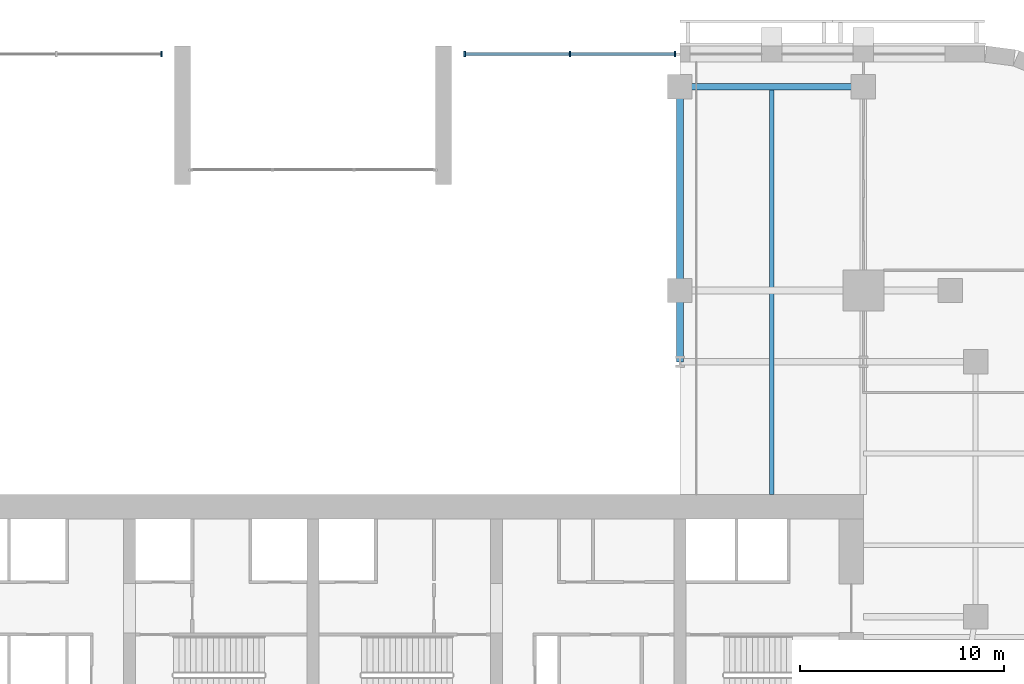
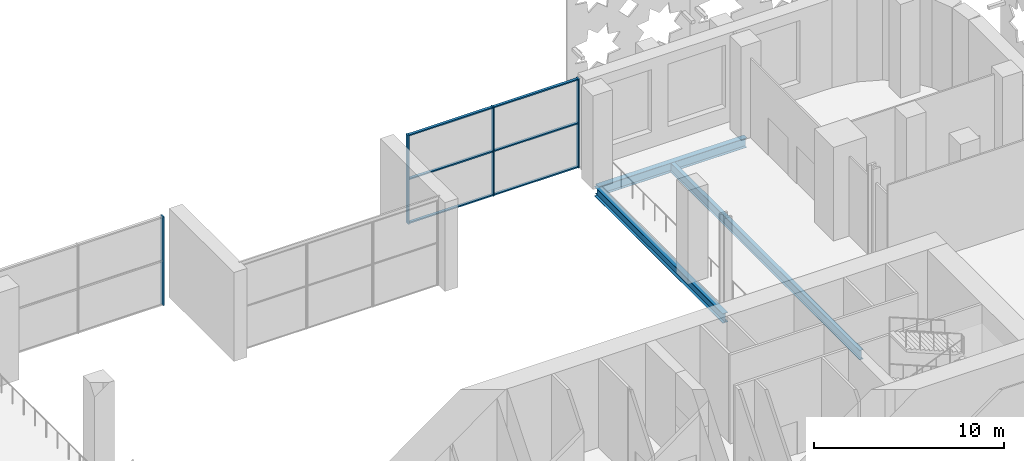
# One storey, part 3 of 17: 10 members, 3 beams, 2 elements without a shape of their own.
"""IFC4 building model written with IfcOpenShell, lengths in metres."""

from ifc_helpers import new_model, si_unit, direction, frame, origin, origin_2d, place, context, subcontext, project, spatial, rectangle, i_section, extrude, material, material_profile, profile_set, type_object, element, aggregate, save


model = new_model("IFC4")

# Units and contexts
model_context = context("Model", 3, precision=1e-05, world=origin(), true_north=direction((0.0, 1.0)))
body_context = subcontext(model_context, "Body", "Model", "MODEL_VIEW")
ifc_project = project(units=[si_unit("LENGTHUNIT", "METRE"), si_unit("AREAUNIT", "SQUARE_METRE"), si_unit("VOLUMEUNIT", "CUBIC_METRE"), si_unit("PLANEANGLEUNIT", "RADIAN"), si_unit("MASSUNIT", "GRAM", prefix="KILO")], contexts=[model_context])

# Site, building, storey
site_placement = place(None, origin())
site = spatial("IfcSite", under=ifc_project, at=site_placement, CompositionType="ELEMENT")
building_placement = place(site_placement, origin())
building = spatial("IfcBuilding", under=site, at=building_placement, Name="Zellij Exchange Tower", CompositionType="ELEMENT")
storey_placement = place(building_placement, frame((0.0, 0.0, 9.0)))
storey = spatial("IfcBuildingStorey", under=building, at=storey_placement, Name="L01", CompositionType="ELEMENT", Elevation=9.0)

# Curtain wall, members
ifc_material_1 = material(Name="Aluminium frame, clear insulating glass", Category="aluminium")
curtain_wall_type = type_object("IfcCurtainWallType", Name="ENV-CW3 Exchange-hall glazing", PredefinedType="NOTDEFINED", material=ifc_material_1)
curtain_wall_1_placement = place(storey_placement, origin())
curtain_wall_1 = element("IfcCurtainWall", 1, at=curtain_wall_1_placement, inside=storey, type_object=curtain_wall_type, Name="cw.L01.14b", PredefinedType="NOTDEFINED")
ifc_material_2 = material(Name="Aluminium", Category="aluminium")
ifc_material_profile_1 = material_profile(ifc_material_2, rectangle(XDim=0.080078125, YDim=0.25, at=origin_2d()), Name="AL 80x250")
ifc_profile_set_1 = profile_set([ifc_material_profile_1], Name="Aluminium")
member_type_1 = type_object("IfcMemberType", Name="ENV-CW3M Mullion 80x250", PredefinedType="MULLION", material=ifc_profile_set_1)
member_1_placement = place(storey_placement, frame((17.760009765625, 19.60009765625, 0.0), z_axis=(0.0, 0.0, 1.0), x_axis=(-1.0, 0.0, 0.0)))
member_1 = element("IfcMember", 2, at=member_1_placement, type_object=member_type_1, Name="CW3 mullion 1", PredefinedType="MULLION", context=body_context, shape_type="SweptSolid", body=[
    extrude(rectangle(XDim=0.080078125, YDim=0.25, at=origin_2d()), origin(), (0.0, 0.0, 1.0), 5.699951171875),
])
member_2_placement = place(storey_placement, frame((12.60009765625, 19.60009765625, 0.0), z_axis=(0.0, 0.0, 1.0), x_axis=(-1.0, 0.0, 0.0)))
member_2 = element("IfcMember", 3, at=member_2_placement, type_object=member_type_1, Name="CW3 mullion 2", PredefinedType="MULLION", context=body_context, shape_type="SweptSolid", body=[
    extrude(rectangle(XDim=0.080078125, YDim=0.25, at=origin_2d()), origin(), (0.0, 0.0, 1.0), 5.699951171875),
])
member_3_placement = place(storey_placement, frame((7.43994140625, 19.60009765625, 0.0), z_axis=(0.0, 0.0, 1.0), x_axis=(-1.0, 0.0, 0.0)))
member_3 = element("IfcMember", 4, at=member_3_placement, type_object=member_type_1, Name="CW3 mullion 3", PredefinedType="MULLION", context=body_context, shape_type="SweptSolid", body=[
    extrude(rectangle(XDim=0.080078125, YDim=0.25, at=origin_2d()), origin(), (0.0, 0.0, 1.0), 5.699951171875),
])

# Curtain wall, member
curtain_wall_2_placement = place(storey_placement, origin())
curtain_wall_2 = element("IfcCurtainWall", 5, at=curtain_wall_2_placement, inside=storey, type_object=curtain_wall_type, Name="cw.L01.14c", PredefinedType="NOTDEFINED")
member_4_placement = place(storey_placement, frame((-7.43994140625, 19.60009765625, 0.0), z_axis=(0.0, 0.0, 1.0), x_axis=(-1.0, 0.0, 0.0)))
member_4 = element("IfcMember", 6, at=member_4_placement, type_object=member_type_1, Name="CW3 mullion 1", PredefinedType="MULLION", context=body_context, shape_type="SweptSolid", body=[
    extrude(rectangle(XDim=0.080078125, YDim=0.25, at=origin_2d()), origin(), (0.0, 0.0, 1.0), 5.699951171875),
])
aggregate(curtain_wall_2, [member_4])

# Member
ifc_material_profile_2 = material_profile(ifc_material_2, rectangle(XDim=0.159912109375, YDim=0.080078125, at=origin_2d()), Name="AL 160x80")
ifc_profile_set_2 = profile_set([ifc_material_profile_2], Name="Aluminium")
member_type_2 = type_object("IfcMemberType", Name="ENV-CW3T Transom 160x80", PredefinedType="USERDEFINED", material=ifc_profile_set_2)
member_5_placement = place(storey_placement, frame((17.719970703125, 19.60009765625, 0.0400390625), z_axis=(-1.0, 0.0, 0.0), x_axis=(0.0, -1.0, 0.0)))
member_5 = element("IfcMember", 7, at=member_5_placement, type_object=member_type_2, Name="CW3 transom 1.1", ObjectType="TRANSOM", PredefinedType="USERDEFINED", context=body_context, shape_type="SweptSolid", body=[
    extrude(rectangle(XDim=0.159912109375, YDim=0.080078125, at=origin_2d()), origin(), (0.0, 0.0, 1.0), 5.080078125),
])

member_6_placement = place(storey_placement, frame((17.719970703125, 19.60009765625, 2.85009765625), z_axis=(-1.0, 0.0, 0.0), x_axis=(0.0, -1.0, 0.0)))
member_6 = element("IfcMember", 8, at=member_6_placement, type_object=member_type_2, Name="CW3 transom 1.2", ObjectType="TRANSOM", PredefinedType="USERDEFINED", context=body_context, shape_type="SweptSolid", body=[
    extrude(rectangle(XDim=0.159912109375, YDim=0.080078125, at=origin_2d()), origin(), (0.0, 0.0, 1.0), 5.080078125),
])

member_7_placement = place(storey_placement, frame((17.719970703125, 19.60009765625, 5.659912109375), z_axis=(-1.0, 0.0, 0.0), x_axis=(0.0, -1.0, 0.0)))
member_7 = element("IfcMember", 9, at=member_7_placement, type_object=member_type_2, Name="CW3 transom 1.3", ObjectType="TRANSOM", PredefinedType="USERDEFINED", context=body_context, shape_type="SweptSolid", body=[
    extrude(rectangle(XDim=0.159912109375, YDim=0.080078125, at=origin_2d()), origin(), (0.0, 0.0, 1.0), 5.080078125),
])

member_8_placement = place(storey_placement, frame((12.56005859375, 19.60009765625, 0.0400390625), z_axis=(-1.0, 0.0, 0.0), x_axis=(0.0, -1.0, 0.0)))
member_8 = element("IfcMember", 10, at=member_8_placement, type_object=member_type_2, Name="CW3 transom 2.1", ObjectType="TRANSOM", PredefinedType="USERDEFINED", context=body_context, shape_type="SweptSolid", body=[
    extrude(rectangle(XDim=0.159912109375, YDim=0.080078125, at=origin_2d()), origin(), (0.0, 0.0, 1.0), 5.080078125),
])

member_9_placement = place(storey_placement, frame((12.56005859375, 19.60009765625, 2.85009765625), z_axis=(-1.0, 0.0, 0.0), x_axis=(0.0, -1.0, 0.0)))
member_9 = element("IfcMember", 11, at=member_9_placement, type_object=member_type_2, Name="CW3 transom 2.2", ObjectType="TRANSOM", PredefinedType="USERDEFINED", context=body_context, shape_type="SweptSolid", body=[
    extrude(rectangle(XDim=0.159912109375, YDim=0.080078125, at=origin_2d()), origin(), (0.0, 0.0, 1.0), 5.080078125),
])

member_10_placement = place(storey_placement, frame((12.56005859375, 19.60009765625, 5.659912109375), z_axis=(-1.0, 0.0, 0.0), x_axis=(0.0, -1.0, 0.0)))
member_10 = element("IfcMember", 12, at=member_10_placement, type_object=member_type_2, Name="CW3 transom 2.3", ObjectType="TRANSOM", PredefinedType="USERDEFINED", context=body_context, shape_type="SweptSolid", body=[
    extrude(rectangle(XDim=0.159912109375, YDim=0.080078125, at=origin_2d()), origin(), (0.0, 0.0, 1.0), 5.080078125),
])

aggregate(curtain_wall_1, [member_1, member_2, member_3, member_5, member_6, member_7, member_8, member_9, member_10])

# Beams
ifc_material_3 = material(Name="Structural steel ASTM A992 Gr 50", Category="steel")
ifc_material_profile_3 = material_profile(ifc_material_3, i_section(OverallWidth=0.22900390625, OverallDepth=0.612060546875, WebThickness=0.011962890625, FlangeThickness=0.01953125, at=origin_2d()), Name="W24x84")
ifc_profile_set_3 = profile_set([ifc_material_profile_3], Name="Structural steel ASTM A992 Gr 50")
beam_type_1 = type_object("IfcBeamType", Name="STR-BEAM W24x84", PredefinedType="BEAM", material=ifc_profile_set_3)
beam_1_placement = place(storey_placement, frame((22.5, -2.0, -0.606201171875), z_axis=(0.0, 1.0, 0.0), x_axis=(-1.0, 0.0, 0.0)))
element("IfcBeam", 13, at=beam_1_placement, inside=storey, type_object=beam_type_1, Name="B6", PredefinedType="BEAM", context=body_context, shape_type="SweptSolid", body=[
    extrude(i_section(OverallWidth=0.22900390625, OverallDepth=0.612060546875, WebThickness=0.011962890625, FlangeThickness=0.01953125, at=origin_2d()), origin(), (0.0, 0.0, 1.0), 20.16259765625),
])
ifc_material_profile_4 = material_profile(ifc_material_3, i_section(OverallWidth=0.3251953125, OverallDepth=0.612060546875, WebThickness=0.0126953125, FlangeThickness=0.01904296875, at=origin_2d()), Name="W24x104")
ifc_profile_set_4 = profile_set([ifc_material_profile_4], Name="Structural steel ASTM A992 Gr 50")
beam_type_2 = type_object("IfcBeamType", Name="STR-GIRDER W24x104", PredefinedType="BEAM", material=ifc_profile_set_4)
beam_2_placement = place(storey_placement, frame((18.0, 18.0, -0.606201171875), z_axis=(1.0, 0.0, 0.0), x_axis=(0.0, 1.0, 0.0)))
element("IfcBeam", 14, at=beam_2_placement, inside=storey, type_object=beam_type_2, Name="G3", PredefinedType="BEAM", context=body_context, shape_type="SweptSolid", body=[
    extrude(i_section(OverallWidth=0.3251953125, OverallDepth=0.612060546875, WebThickness=0.0126953125, FlangeThickness=0.01904296875, at=origin_2d()), origin(), (0.0, 0.0, 1.0), 9.0),
])
beam_3_placement = place(storey_placement, frame((18.0, 4.5, -0.606201171875), z_axis=(0.0, 1.0, 0.0), x_axis=(-1.0, 0.0, 0.0)))
element("IfcBeam", 15, at=beam_3_placement, inside=storey, type_object=beam_type_2, Name="G3", PredefinedType="BEAM", context=body_context, shape_type="SweptSolid", body=[
    extrude(i_section(OverallWidth=0.3251953125, OverallDepth=0.612060546875, WebThickness=0.0126953125, FlangeThickness=0.01904296875, at=origin_2d()), origin(), (0.0, 0.0, 1.0), 13.5),
])

save(model, "model.ifc")
